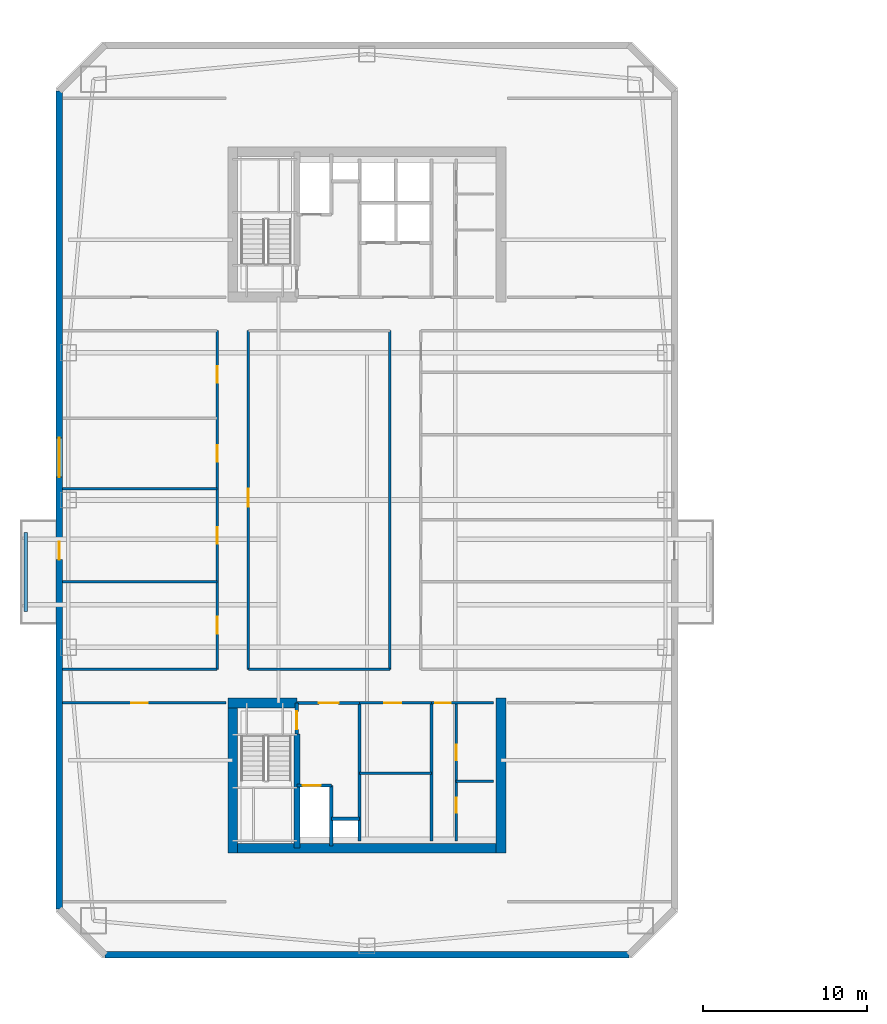
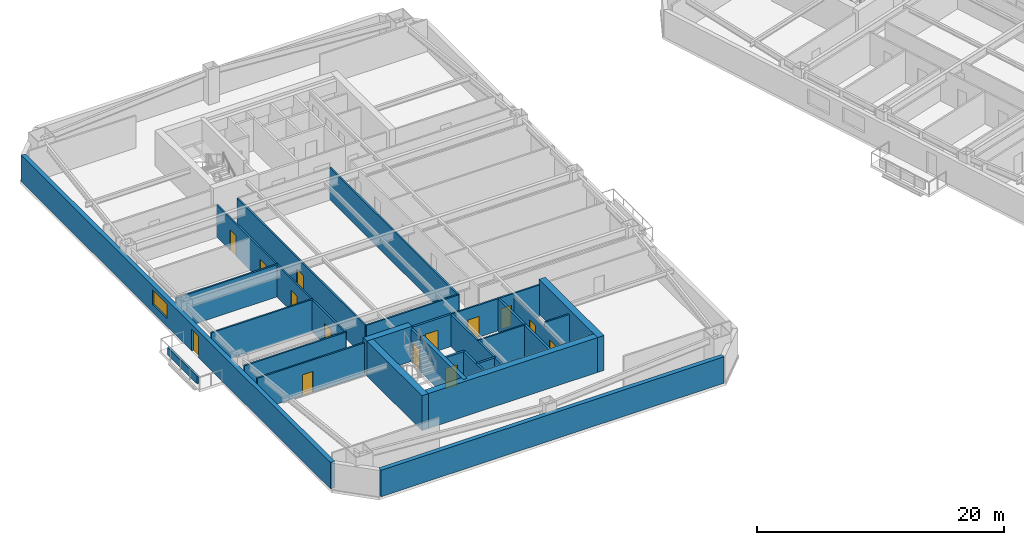
# One storey, part 4 of 14: 28 walls, 14 doors, 1 window, 15 openings.
"""IFC4 building model written with IfcOpenShell, lengths in metres."""

from ifc_helpers import new_model, si_unit, direction, frame, frame_2d, origin, place, context, subcontext, project, spatial, rectangle, extrude, material, layer, layer_set, type_object, element, fill, save


model = new_model("IFC4")

# Units and contexts
model_context = context("Model", 3, precision=1e-05, world=origin(), true_north=direction((0.0, 1.0)))
body_context = subcontext(model_context, "Body", "Model", "MODEL_VIEW")
ifc_project = project(units=[si_unit("LENGTHUNIT", "METRE"), si_unit("AREAUNIT", "SQUARE_METRE"), si_unit("VOLUMEUNIT", "CUBIC_METRE"), si_unit("PLANEANGLEUNIT", "RADIAN"), si_unit("MASSUNIT", "GRAM", prefix="KILO")], contexts=[model_context])

# Site, building, storey
site_placement = place(None, origin())
site = spatial("IfcSite", under=ifc_project, at=site_placement, CompositionType="ELEMENT")
building_placement = place(site_placement, origin())
building = spatial("IfcBuilding", under=site, at=building_placement, Name="Qiaolan Cultural Towers", CompositionType="ELEMENT")
storey_placement = place(building_placement, frame((0.0, 0.0, 103.5)))
storey = spatial("IfcBuildingStorey", under=building, at=storey_placement, Name="L26", CompositionType="ELEMENT", Elevation=103.5)

# Walls
ifc_material_1 = material(Name="Concrete C50", Category="concrete")
ifc_layer_1 = layer(ifc_material_1, 0.35009765625)
ifc_layer_set_1 = layer_set([ifc_layer_1], Name="Concrete C50")
wall_type_1 = type_object("IfcWallType", Name="WL-CORE-350", PredefinedType="SHEAR", material=ifc_layer_set_1)
wall_1_placement = place(storey_placement, frame((25.719970703125, 19.699951171875, 0.0), z_axis=(0.0, 0.0, 1.0), x_axis=(0.0, -1.0, 0.0)))
element("IfcWall", 1, at=wall_1_placement, inside=storey, type_object=wall_type_1, Name="L26 T1-CS Stair Core Dividing Web", PredefinedType="SHEAR", context=body_context, shape_type="SweptSolid", body=[
    extrude(rectangle(XDim=6.97998046875, YDim=0.35009765625, at=frame_2d((3.489990234375, 0.0))), origin(), (0.0, 0.0, 1.0), 3.449951171875),
])
ifc_material_2 = material(Name="Concrete C55", Category="concrete")
ifc_layer_2 = layer(ifc_material_2, 0.60009765625)
ifc_layer_set_2 = layer_set([ifc_layer_2], Name="Concrete C55")
wall_type_2 = type_object("IfcWallType", Name="WL-CORE-600", PredefinedType="SHEAR", material=ifc_layer_set_2)
wall_2_placement = place(storey_placement, frame((21.5, 12.719970703125, 0.0), z_axis=(0.0, 0.0, 1.0), x_axis=(1.0, 0.0, 0.0)))
element("IfcWall", 2, at=wall_2_placement, inside=storey, type_object=wall_type_2, Name="L26 T1-CS Outer Core Shear Wall", PredefinedType="SHEAR", context=body_context, shape_type="SweptSolid", body=[
    extrude(rectangle(XDim=17.0, YDim=0.60009765625, at=frame_2d((8.5, 0.0))), origin(), (0.0, 0.0, 1.0), 3.449951171875),
])
for number, where, z_axis, x_axis, name in (
    (3, (21.800048828125, 21.89990234375, 0.0), (0.0, 0.0, 1.0), (0.0, -1.0, 0.0), "L26 T1-CS West Core Shear Wall"),
    (4, (38.199951171875, 21.89990234375, 0.0), (0.0, 0.0, 1.0), (0.0, -1.0, 0.0), "L26 T1-CS East Core Shear Wall"),
):
    element("IfcWall", number, at=place(storey_placement, frame(where, z_axis=z_axis, x_axis=x_axis)), inside=storey, type_object=wall_type_2, Name=name, PredefinedType="SHEAR", context=body_context, shape_type="SweptSolid", body=[
        extrude(rectangle(XDim=9.47998046875, YDim=0.60009765625, at=frame_2d((4.739990234375, 0.0))), origin(), (0.0, 0.0, 1.0), 3.449951171875),
    ])
wall_3_placement = place(storey_placement, frame((21.5, 21.60009765625, 0.0), z_axis=(0.0, 0.0, 1.0), x_axis=(1.0, 0.0, 0.0)))
element("IfcWall", 5, at=wall_3_placement, inside=storey, type_object=wall_type_2, Name="L26 T1-CS Stair Front Shear Wall", PredefinedType="SHEAR", context=body_context, shape_type="SweptSolid", body=[
    extrude(rectangle(XDim=4.219970703125, YDim=0.60009765625, at=frame_2d((2.10986328125, 0.0))), origin(), (0.0, 0.0, 1.0), 3.449951171875),
])

# Wall, openings, door, window
ifc_material_3 = material(Name="Precast Concrete C50 Honed Stone Pier", Category="masonry")
ifc_layer_3 = layer(ifc_material_3, 0.39990234375)
ifc_layer_set_3 = layer_set([ifc_layer_3], Name="Precast Concrete C50 Honed Stone Pier")
wall_type_3 = type_object("IfcWallType", Name="WL-EXT-PIER-400", PredefinedType="SOLIDWALL", material=ifc_layer_set_3)
wall_4_placement = place(storey_placement, frame((11.199951171875, 9.0, 0.0), z_axis=(0.0, 0.0, 1.0), x_axis=(0.0, 1.0, 0.0)))
wall_4 = element("IfcWall", 6, at=wall_4_placement, inside=storey, type_object=wall_type_3, Name="L26 West Tower Precast Pier Facade Wall F1", PredefinedType="SOLIDWALL", context=body_context, shape_type="SweptSolid", body=[
    extrude(rectangle(XDim=50.0, YDim=0.39990234375, at=frame_2d((25.0, 0.0))), origin(), (0.0, 0.0, 1.0), 2.610107421875),
])
opening_1_placement = place(wall_4_placement, frame((26.39990234375, 0.0, 0.75)))
opening_1 = element("IfcOpeningElement", 7, at=opening_1_placement, cuts=wall_4, Name="Opening W-02", PredefinedType="OPENING", context=body_context, shape_type="SweptSolid", body=[
    extrude(rectangle(XDim=2.39990234375, YDim=1.4599609375, at=frame_2d((1.199951171875, 0.72998046875))), frame((0.0, 0.2099609375, 0.0), z_axis=(0.0, -1.0, 0.0), x_axis=(1.0, 0.0, 0.0)), (0.0, 0.0, 1.0), 0.419921875),
])
opening_2_placement = place(wall_4_placement, frame((21.35009765625, 0.0, 0.0)))
opening_2 = element("IfcOpeningElement", 8, at=opening_2_placement, cuts=wall_4, Name="Opening BD-01", PredefinedType="OPENING", context=body_context, shape_type="SweptSolid", body=[
    extrude(rectangle(XDim=1.10009765625, YDim=2.14990234375, at=frame_2d((0.550048828125, 1.074951171875))), frame((0.0, 0.2099609375, 0.0), z_axis=(0.0, -1.0, 0.0), x_axis=(1.0, 0.0, 0.0)), (0.0, 0.0, 1.0), 0.419921875),
])
ifc_material_4 = material(Name="Thermally Broken Aluminium Glazed Terrace Door", Category="aluminium")
door_type_1 = type_object("IfcDoorType", Name="DR-BAL-1100", OperationType="NOTDEFINED", PredefinedType="DOOR", material=ifc_material_4)
door_1_placement = place(opening_2_placement, origin())
door_1 = element("IfcDoor", 9, at=door_1_placement, inside=storey, type_object=door_type_1, Name="L26 T1 West Tree Balcony Door", OperationType="SINGLE_SWING_LEFT", OverallHeight=2.14990234375, OverallWidth=1.10009765625, PredefinedType="DOOR", context=body_context, shape_type="SweptSolid", body=[
    extrude(rectangle(XDim=1.10009765625, YDim=2.14990234375, at=frame_2d((0.550048828125, 1.074951171875))), frame((0.0, 0.02490234375, 0.0), z_axis=(0.0, -1.0, 0.0), x_axis=(1.0, 0.0, 0.0)), (0.0, 0.0, 1.0), 0.050048828125),
])
fill(opening_2, door_1)
ifc_material_5 = material(Name="Thermally Broken Aluminium Triple Low-E Glazing", Category="aluminium")
window_type = type_object("IfcWindowType", Name="WN-CHIC-2400", PartitioningType="SINGLE_PANEL", PredefinedType="WINDOW", material=ifc_material_5)
window_placement = place(opening_1_placement, origin())
window = element("IfcWindow", 10, at=window_placement, inside=storey, type_object=window_type, Name="L26 T1 W Chicago Bay Window 1", OverallHeight=1.4599609375, OverallWidth=2.39990234375, PartitioningType="TRIPLE_PANEL_VERTICAL", PredefinedType="WINDOW", context=body_context, shape_type="SweptSolid", body=[
    extrude(rectangle(XDim=2.39990234375, YDim=1.4599609375, at=frame_2d((1.199951171875, 0.72998046875))), frame((0.0, 0.030029296875, 0.0), z_axis=(0.0, -1.0, 0.0), x_axis=(1.0, 0.0, 0.0)), (0.0, 0.0, 1.0), 0.06005859375),
])
fill(opening_1, window)

# Wall
wall_5_placement = place(storey_placement, frame((46.0, 6.199951171875, 0.0), z_axis=(0.0, 0.0, 1.0), x_axis=(-1.0, 0.0, 0.0)))
element("IfcWall", 11, at=wall_5_placement, inside=storey, type_object=wall_type_3, Name="L26 West Tower Precast Pier Facade Wall F7", PredefinedType="SOLIDWALL", context=body_context, shape_type="SweptSolid", body=[
    extrude(rectangle(XDim=32.0, YDim=0.39990234375, at=frame_2d((16.0, 0.0))), origin(), (0.0, 0.0, 1.0), 2.610107421875),
])

# Wall, opening, door
ifc_material_6 = material(Name="Concrete C35 Fire Wall", Category="concrete")
ifc_layer_4 = layer(ifc_material_6, 0.199951171875)
ifc_layer_set_4 = layer_set([ifc_layer_4], Name="Concrete C35 Fire Wall")
wall_type_4 = type_object("IfcWallType", Name="WL-FIRE-200", PredefinedType="PARTITIONING", material=ifc_layer_set_4)
wall_6_placement = place(storey_placement, frame((25.719970703125, 21.60009765625, 0.0), z_axis=(0.0, 0.0, 1.0), x_axis=(0.0, -1.0, 0.0)))
wall_6 = element("IfcWall", 12, at=wall_6_placement, inside=storey, type_object=wall_type_4, Name="L26 T1-CS Smokeproof Stair Entry Wall", PredefinedType="PARTITIONING", context=body_context, shape_type="SweptSolid", body=[
    extrude(rectangle(XDim=1.900146484375, YDim=0.199951171875, at=frame_2d((0.9501953125, 0.0))), origin(), (0.0, 0.0, 1.0), 3.175048828125),
])
opening_3_placement = place(wall_6_placement, frame((0.52001953125, 0.0, 0.0)))
opening_3 = element("IfcOpeningElement", 13, at=opening_3_placement, cuts=wall_6, Name="Opening FD-04", PredefinedType="OPENING", context=body_context, shape_type="SweptSolid", body=[
    extrude(rectangle(XDim=1.10009765625, YDim=2.050048828125, at=frame_2d((0.550048828125, 1.02490234375))), frame((0.0, 0.10986328125, 0.0), z_axis=(0.0, -1.0, 0.0), x_axis=(1.0, 0.0, 0.0)), (0.0, 0.0, 1.0), 0.219970703125),
])
ifc_material_7 = material(Name="Galvanized Steel Command Fire Door", Category="steel")
door_type_2 = type_object("IfcDoorType", Name="DR-FD90-1100", OperationType="NOTDEFINED", PredefinedType="DOOR", material=ifc_material_7)
door_2_placement = place(opening_3_placement, origin())
door_2 = element("IfcDoor", 14, at=door_2_placement, inside=storey, type_object=door_type_2, Name="L26 ST-W1 Smokeproof Stair Fire Door", OperationType="SINGLE_SWING_LEFT", OverallHeight=2.050048828125, OverallWidth=1.10009765625, PredefinedType="DOOR", context=body_context, shape_type="SweptSolid", body=[
    extrude(rectangle(XDim=1.10009765625, YDim=2.050048828125, at=frame_2d((0.550048828125, 1.02490234375))), frame((0.0, 0.02490234375, 0.0), z_axis=(0.0, -1.0, 0.0), x_axis=(1.0, 0.0, 0.0)), (0.0, 0.0, 1.0), 0.050048828125),
])
fill(opening_3, door_2)

# Wall
wall_7_placement = place(storey_placement, frame((29.550048828125, 21.60009765625, 0.0), z_axis=(0.0, 0.0, 1.0), x_axis=(0.0, -1.0, 0.0)))
element("IfcWall", 15, at=wall_7_placement, inside=storey, type_object=wall_type_4, Name="L26 T1-CS Firefighting Zone Wall", PredefinedType="PARTITIONING", context=body_context, shape_type="SweptSolid", body=[
    extrude(rectangle(XDim=8.43017578125, YDim=0.199951171875, at=frame_2d((4.215087890625, 0.0))), origin(), (0.0, 0.0, 1.0), 3.175048828125),
])

# Wall, opening, door
wall_8_placement = place(storey_placement, frame((25.719970703125, 21.60009765625, 0.0), z_axis=(0.0, 0.0, 1.0), x_axis=(1.0, 0.0, 0.0)))
wall_8 = element("IfcWall", 16, at=wall_8_placement, inside=storey, type_object=wall_type_4, Name="L26 T1-CS Firefighting Lobby Front Wall", PredefinedType="PARTITIONING", context=body_context, shape_type="SweptSolid", body=[
    extrude(rectangle(XDim=3.830078125, YDim=0.199951171875, at=frame_2d((1.9150390625, 0.0))), origin(), (0.0, 0.0, 1.0), 3.175048828125),
])
opening_4_placement = place(wall_8_placement, frame((1.35009765625, 0.0, 0.0)))
opening_4 = element("IfcOpeningElement", 17, at=opening_4_placement, cuts=wall_8, Name="Opening FD-03", PredefinedType="OPENING", context=body_context, shape_type="SweptSolid", body=[
    extrude(rectangle(XDim=1.199951171875, YDim=2.050048828125, at=frame_2d((0.60009765625, 1.02490234375))), frame((0.0, 0.10986328125, 0.0), z_axis=(0.0, -1.0, 0.0), x_axis=(1.0, 0.0, 0.0)), (0.0, 0.0, 1.0), 0.219970703125),
])
ifc_material_8 = material(Name="Galvanized Steel Smokeproof Lobby Fire Door", Category="steel")
door_type_3 = type_object("IfcDoorType", Name="DR-FD90-1200", OperationType="NOTDEFINED", PredefinedType="DOOR", material=ifc_material_8)
door_3_placement = place(opening_4_placement, origin())
door_3 = element("IfcDoor", 18, at=door_3_placement, inside=storey, type_object=door_type_3, Name="L26 FFL-W1 Firefighting Lobby Fire Door", OperationType="SINGLE_SWING_LEFT", OverallHeight=2.050048828125, OverallWidth=1.199951171875, PredefinedType="DOOR", context=body_context, shape_type="SweptSolid", body=[
    extrude(rectangle(XDim=1.199951171875, YDim=2.050048828125, at=frame_2d((0.60009765625, 1.02490234375))), frame((0.0, 0.02490234375, 0.0), z_axis=(0.0, -1.0, 0.0), x_axis=(1.0, 0.0, 0.0)), (0.0, 0.0, 1.0), 0.050048828125),
])
fill(opening_4, door_3)

wall_9_placement = place(storey_placement, frame((25.719970703125, 16.550048828125, 0.0), z_axis=(0.0, 0.0, 1.0), x_axis=(1.0, 0.0, 0.0)))
wall_9 = element("IfcWall", 19, at=wall_9_placement, inside=storey, type_object=wall_type_4, Name="L26 T1-CS Firefighting Shaft Front Wall", PredefinedType="PARTITIONING", context=body_context, shape_type="SweptSolid", body=[
    extrude(rectangle(XDim=2.10009765625, YDim=0.199951171875, at=frame_2d((1.050048828125, 0.0))), origin(), (0.0, 0.0, 1.0), 3.175048828125),
])
opening_5_placement = place(wall_9_placement, frame((0.35009765625, 0.0, 0.0)))
opening_5 = element("IfcOpeningElement", 20, at=opening_5_placement, cuts=wall_9, Name="Opening LD-01", PredefinedType="OPENING", context=body_context, shape_type="SweptSolid", body=[
    extrude(rectangle(XDim=1.10009765625, YDim=2.050048828125, at=frame_2d((0.550048828125, 1.02490234375))), frame((0.0, 0.10986328125, 0.0), z_axis=(0.0, -1.0, 0.0), x_axis=(1.0, 0.0, 0.0)), (0.0, 0.0, 1.0), 0.219970703125),
])
ifc_material_9 = material(Name="Brushed Stainless Steel S30408 Centre-Parting Lift Landing Door", Category="steel")
door_type_4 = type_object("IfcDoorType", Name="DR-LIFT-1100", OperationType="NOTDEFINED", PredefinedType="DOOR", material=ifc_material_9)
door_4_placement = place(opening_5_placement, origin())
door_4 = element("IfcDoor", 21, at=door_4_placement, inside=storey, type_object=door_type_4, Name="L26 FFL-W1 Firefighting Lift Landing Door", OperationType="DOUBLE_DOOR_SLIDING", OverallHeight=2.050048828125, OverallWidth=1.10009765625, PredefinedType="DOOR", context=body_context, shape_type="SweptSolid", body=[
    extrude(rectangle(XDim=1.10009765625, YDim=2.050048828125, at=frame_2d((0.550048828125, 1.02490234375))), frame((0.0, 0.02490234375, 0.0), z_axis=(0.0, -1.0, 0.0), x_axis=(1.0, 0.0, 0.0)), (0.0, 0.0, 1.0), 0.050048828125),
])
fill(opening_5, door_4)

# Walls
wall_10_placement = place(storey_placement, frame((27.820068359375, 16.550048828125, 0.0), z_axis=(0.0, 0.0, 1.0), x_axis=(0.0, -1.0, 0.0)))
element("IfcWall", 22, at=wall_10_placement, inside=storey, type_object=wall_type_4, Name="L26 T1-CS Firefighting Hoistway East Wall", PredefinedType="PARTITIONING", context=body_context, shape_type="SweptSolid", body=[
    extrude(rectangle(XDim=3.699951171875, YDim=0.199951171875, at=frame_2d((1.85009765625, 0.0))), origin(), (0.0, 0.0, 1.0), 3.175048828125),
])
wall_11_placement = place(storey_placement, frame((27.820068359375, 14.52001953125, 0.0), z_axis=(0.0, 0.0, 1.0), x_axis=(1.0, 0.0, 0.0)))
element("IfcWall", 23, at=wall_11_placement, inside=storey, type_object=wall_type_4, Name="L26 T1-CS Pressurization Shaft Front Wall", PredefinedType="PARTITIONING", context=body_context, shape_type="SweptSolid", body=[
    extrude(rectangle(XDim=1.72998046875, YDim=0.199951171875, at=frame_2d((0.864990234375, 0.0))), origin(), (0.0, 0.0, 1.0), 3.175048828125),
])
wall_12_placement = place(storey_placement, frame((33.949951171875, 21.60009765625, 0.0), z_axis=(0.0, 0.0, 1.0), x_axis=(0.0, -1.0, 0.0)))
element("IfcWall", 24, at=wall_12_placement, inside=storey, type_object=wall_type_4, Name="L26 T1-CS Lift Core East Wall", PredefinedType="PARTITIONING", context=body_context, shape_type="SweptSolid", body=[
    extrude(rectangle(XDim=8.43017578125, YDim=0.199951171875, at=frame_2d((4.215087890625, 0.0))), origin(), (0.0, 0.0, 1.0), 3.175048828125),
])

# Wall, opening, door
ifc_material_10 = material(Name="Autoclaved Aerated Concrete Block B06", Category="concrete")
ifc_layer_5 = layer(ifc_material_10, 0.14990234375)
ifc_layer_set_5 = layer_set([ifc_layer_5], Name="Autoclaved Aerated Concrete Block B06")
wall_type_5 = type_object("IfcWallType", Name="WL-PART-150", PredefinedType="PARTITIONING", material=ifc_layer_set_5)
wall_13_placement = place(storey_placement, frame((29.550048828125, 21.60009765625, 0.0), z_axis=(0.0, 0.0, 1.0), x_axis=(1.0, 0.0, 0.0)))
wall_13 = element("IfcWall", 25, at=wall_13_placement, inside=storey, type_object=wall_type_5, Name="L26 T1-CS Reclaimed Core Room Front Wall", PredefinedType="PARTITIONING", context=body_context, shape_type="SweptSolid", body=[
    extrude(rectangle(XDim=4.39990234375, YDim=0.14990234375, at=frame_2d((2.199951171875, 0.0))), origin(), (0.0, 0.0, 1.0), 3.175048828125),
])
opening_6_placement = place(wall_13_placement, frame((1.5, 0.0, 0.0)))
opening_6 = element("IfcOpeningElement", 26, at=opening_6_placement, cuts=wall_13, Name="Opening ID-07", PredefinedType="OPENING", context=body_context, shape_type="SweptSolid", body=[
    extrude(rectangle(XDim=1.050048828125, YDim=2.050048828125, at=frame_2d((0.52490234375, 1.02490234375))), frame((0.0, 0.0849609375, 0.0), z_axis=(0.0, -1.0, 0.0), x_axis=(1.0, 0.0, 0.0)), (0.0, 0.0, 1.0), 0.169921875),
])
ifc_material_11 = material(Name="Oak Veneer Consultation Door", Category="timber")
door_type_5 = type_object("IfcDoorType", Name="DR-INT-1050", OperationType="NOTDEFINED", PredefinedType="DOOR", material=ifc_material_11)
door_5_placement = place(opening_6_placement, origin())
door_5 = element("IfcDoor", 27, at=door_5_placement, inside=storey, type_object=door_type_5, Name="L26 Focus Pod Room Door", OperationType="SINGLE_SWING_LEFT", OverallHeight=2.050048828125, OverallWidth=1.050048828125, PredefinedType="DOOR", context=body_context, shape_type="SweptSolid", body=[
    extrude(rectangle(XDim=1.050048828125, YDim=2.050048828125, at=frame_2d((0.52490234375, 1.02490234375))), frame((0.0, 0.02490234375, 0.0), z_axis=(0.0, -1.0, 0.0), x_axis=(1.0, 0.0, 0.0)), (0.0, 0.0, 1.0), 0.050048828125),
])
fill(opening_6, door_5)

# Wall
wall_14_placement = place(storey_placement, frame((29.550048828125, 17.300048828125, 0.0), z_axis=(0.0, 0.0, 1.0), x_axis=(1.0, 0.0, 0.0)))
element("IfcWall", 28, at=wall_14_placement, inside=storey, type_object=wall_type_5, Name="L26 T1-CS Reclaimed Room Subdivider", PredefinedType="PARTITIONING", context=body_context, shape_type="SweptSolid", body=[
    extrude(rectangle(XDim=4.39990234375, YDim=0.14990234375, at=frame_2d((2.199951171875, 0.0))), origin(), (0.0, 0.0, 1.0), 3.175048828125),
])

# Wall, opening, door
wall_15_placement = place(storey_placement, frame((33.949951171875, 21.60009765625, 0.0), z_axis=(0.0, 0.0, 1.0), x_axis=(1.0, 0.0, 0.0)))
wall_15 = element("IfcWall", 29, at=wall_15_placement, inside=storey, type_object=wall_type_5, Name="L26 T1-CS Sanitary Core Front Wall", PredefinedType="PARTITIONING", context=body_context, shape_type="SweptSolid", body=[
    extrude(rectangle(XDim=3.800048828125, YDim=0.14990234375, at=frame_2d((1.89990234375, 0.0))), origin(), (0.0, 0.0, 1.0), 3.175048828125),
])
opening_7_placement = place(wall_15_placement, frame((0.219970703125, 0.0, 0.0)))
opening_7 = element("IfcOpeningElement", 30, at=opening_7_placement, cuts=wall_15, Name="Opening ID-05", PredefinedType="OPENING", context=body_context, shape_type="SweptSolid", body=[
    extrude(rectangle(XDim=0.949951171875, YDim=2.050048828125, at=frame_2d((0.47509765625, 1.02490234375))), frame((0.0, 0.0849609375, 0.0), z_axis=(0.0, -1.0, 0.0), x_axis=(1.0, 0.0, 0.0)), (0.0, 0.0, 1.0), 0.169921875),
])
ifc_material_12 = material(Name="Fire-Rated Laminate Accessible Core Door", Category="timber")
door_type_6 = type_object("IfcDoorType", Name="DR-INT-950", OperationType="NOTDEFINED", PredefinedType="DOOR", material=ifc_material_12)
door_6_placement = place(opening_7_placement, origin())
door_6 = element("IfcDoor", 31, at=door_6_placement, inside=storey, type_object=door_type_6, Name="L26 Sanitary Lobby Door", OperationType="SINGLE_SWING_LEFT", OverallHeight=2.050048828125, OverallWidth=0.949951171875, PredefinedType="DOOR", context=body_context, shape_type="SweptSolid", body=[
    extrude(rectangle(XDim=0.949951171875, YDim=2.050048828125, at=frame_2d((0.47509765625, 1.02490234375))), frame((0.0, 0.02490234375, 0.0), z_axis=(0.0, -1.0, 0.0), x_axis=(1.0, 0.0, 0.0)), (0.0, 0.0, 1.0), 0.050048828125),
])
fill(opening_7, door_6)

# Wall, openings, doors
wall_16_placement = place(storey_placement, frame((35.449951171875, 21.60009765625, 0.0), z_axis=(0.0, 0.0, 1.0), x_axis=(0.0, -1.0, 0.0)))
wall_16 = element("IfcWall", 32, at=wall_16_placement, inside=storey, type_object=wall_type_5, Name="L26 T1-CS Washroom Split Wall", PredefinedType="PARTITIONING", context=body_context, shape_type="SweptSolid", body=[
    extrude(rectangle(XDim=8.43017578125, YDim=0.14990234375, at=frame_2d((4.215087890625, 0.0))), origin(), (0.0, 0.0, 1.0), 2.764892578125),
])
opening_8_placement = place(wall_16_placement, frame((2.550048828125, 0.0, 0.0)))
opening_8 = element("IfcOpeningElement", 33, at=opening_8_placement, cuts=wall_16, Name="Opening ID-05", PredefinedType="OPENING", context=body_context, shape_type="SweptSolid", body=[
    extrude(rectangle(XDim=0.949951171875, YDim=2.050048828125, at=frame_2d((0.47509765625, 1.02490234375))), frame((0.0, 0.0849609375, 0.0), z_axis=(0.0, -1.0, 0.0), x_axis=(1.0, 0.0, 0.0)), (0.0, 0.0, 1.0), 0.169921875),
])
opening_9_placement = place(wall_16_placement, frame((5.800048828125, 0.0, 0.0)))
opening_9 = element("IfcOpeningElement", 34, at=opening_9_placement, cuts=wall_16, Name="Opening ID-06", PredefinedType="OPENING", context=body_context, shape_type="SweptSolid", body=[
    extrude(rectangle(XDim=0.89990234375, YDim=2.050048828125, at=frame_2d((0.449951171875, 1.02490234375))), frame((0.0, 0.0849609375, 0.0), z_axis=(0.0, -1.0, 0.0), x_axis=(1.0, 0.0, 0.0)), (0.0, 0.0, 1.0), 0.169921875),
])
ifc_material_13 = material(Name="Fire-Rated Laminate Core Service Door", Category="timber")
door_type_7 = type_object("IfcDoorType", Name="DR-INT-900", OperationType="NOTDEFINED", PredefinedType="DOOR", material=ifc_material_13)
door_7_placement = place(opening_9_placement, origin())
door_7 = element("IfcDoor", 35, at=door_7_placement, inside=storey, type_object=door_type_7, Name="L26 First-Aid Room Door", OperationType="SINGLE_SWING_RIGHT", OverallHeight=2.050048828125, OverallWidth=0.89990234375, PredefinedType="DOOR", context=body_context, shape_type="SweptSolid", body=[
    extrude(rectangle(XDim=0.89990234375, YDim=2.050048828125, at=frame_2d((0.449951171875, 1.02490234375))), frame((0.0, 0.02490234375, 0.0), z_axis=(0.0, -1.0, 0.0), x_axis=(1.0, 0.0, 0.0)), (0.0, 0.0, 1.0), 0.050048828125),
])
fill(opening_9, door_7)
door_8_placement = place(opening_8_placement, origin())
door_8 = element("IfcDoor", 36, at=door_8_placement, inside=storey, type_object=door_type_6, Name="L26 Accessible Washroom Door", OperationType="SINGLE_SWING_LEFT", OverallHeight=2.050048828125, OverallWidth=0.949951171875, PredefinedType="DOOR", context=body_context, shape_type="SweptSolid", body=[
    extrude(rectangle(XDim=0.949951171875, YDim=2.050048828125, at=frame_2d((0.47509765625, 1.02490234375))), frame((0.0, 0.02490234375, 0.0), z_axis=(0.0, -1.0, 0.0), x_axis=(1.0, 0.0, 0.0)), (0.0, 0.0, 1.0), 0.050048828125),
])
fill(opening_8, door_8)

# Wall
wall_17_placement = place(storey_placement, frame((35.449951171875, 16.800048828125, 0.0), z_axis=(0.0, 0.0, 1.0), x_axis=(1.0, 0.0, 0.0)))
element("IfcWall", 37, at=wall_17_placement, inside=storey, type_object=wall_type_5, Name="L26 T1-CS First-Aid Wall", PredefinedType="PARTITIONING", context=body_context, shape_type="SweptSolid", body=[
    extrude(rectangle(XDim=2.300048828125, YDim=0.14990234375, at=frame_2d((1.14990234375, 0.0))), origin(), (0.0, 0.0, 1.0), 3.175048828125),
])

# Wall, opening, door
wall_18_placement = place(storey_placement, frame((11.39990234375, 21.60009765625, 0.0), z_axis=(0.0, 0.0, 1.0), x_axis=(1.0, 0.0, 0.0)))
wall_18 = element("IfcWall", 38, at=wall_18_placement, inside=storey, type_object=wall_type_5, Name="L26 T1 Flank Front FLK-SW", PredefinedType="PARTITIONING", context=body_context, shape_type="SweptSolid", body=[
    extrude(rectangle(XDim=10.0, YDim=0.14990234375, at=frame_2d((5.0, 0.0))), origin(), (0.0, 0.0, 1.0), 3.175048828125),
])
opening_10_placement = place(wall_18_placement, frame((4.199951171875, 0.0, 0.0)))
opening_10 = element("IfcOpeningElement", 39, at=opening_10_placement, cuts=wall_18, Name="Opening ID-04", PredefinedType="OPENING", context=body_context, shape_type="SweptSolid", body=[
    extrude(rectangle(XDim=1.0, YDim=2.050048828125, at=frame_2d((0.5, 1.02490234375))), frame((0.0, 0.0849609375, 0.0), z_axis=(0.0, -1.0, 0.0), x_axis=(1.0, 0.0, 0.0)), (0.0, 0.0, 1.0), 0.169921875),
])
ifc_material_14 = material(Name="Oak Veneer Acoustic Office Door", Category="timber")
door_type_8 = type_object("IfcDoorType", Name="DR-INT-1000", OperationType="NOTDEFINED", PredefinedType="DOOR", material=ifc_material_14)
door_9_placement = place(opening_10_placement, origin())
door_9 = element("IfcDoor", 40, at=door_9_placement, inside=storey, type_object=door_type_8, Name="L26 T1 Corner Studio Door", OperationType="SINGLE_SWING_LEFT", OverallHeight=2.050048828125, OverallWidth=1.0, PredefinedType="DOOR", context=body_context, shape_type="SweptSolid", body=[
    extrude(rectangle(XDim=1.0, YDim=2.050048828125, at=frame_2d((0.5, 1.02490234375))), frame((0.0, 0.02490234375, 0.0), z_axis=(0.0, -1.0, 0.0), x_axis=(1.0, 0.0, 0.0)), (0.0, 0.0, 1.0), 0.050048828125),
])
fill(opening_10, door_9)

# Walls
wall_19_placement = place(storey_placement, frame((11.39990234375, 23.64990234375, 0.0), z_axis=(0.0, 0.0, 1.0), x_axis=(1.0, 0.0, 0.0)))
element("IfcWall", 41, at=wall_19_placement, inside=storey, type_object=wall_type_5, Name="L26 T1 Interior Wall", PredefinedType="PARTITIONING", context=body_context, shape_type="SweptSolid", body=[
    extrude(rectangle(XDim=9.4501953125, YDim=0.14990234375, at=frame_2d((4.72509765625, 0.0))), origin(), (0.0, 0.0, 1.0), 3.175048828125),
])
wall_20_placement = place(storey_placement, frame((22.75, 23.64990234375, 0.0), z_axis=(0.0, 0.0, 1.0), x_axis=(1.0, 0.0, 0.0)))
element("IfcWall", 42, at=wall_20_placement, inside=storey, type_object=wall_type_5, Name="L26 T1 Interior Wall", PredefinedType="PARTITIONING", context=body_context, shape_type="SweptSolid", body=[
    extrude(rectangle(XDim=8.64990234375, YDim=0.14990234375, at=frame_2d((4.324951171875, 0.0))), origin(), (0.0, 0.0, 1.0), 3.175048828125),
])

# Wall, openings, doors
wall_21_placement = place(storey_placement, frame((20.85009765625, 23.64990234375, 0.0), z_axis=(0.0, 0.0, 1.0), x_axis=(0.0, 1.0, 0.0)))
wall_21 = element("IfcWall", 43, at=wall_21_placement, inside=storey, type_object=wall_type_5, Name="L26 T1 Interior Wall", PredefinedType="PARTITIONING", context=body_context, shape_type="SweptSolid", body=[
    extrude(rectangle(XDim=20.7001953125, YDim=0.14990234375, at=frame_2d((10.35009765625, 0.0))), origin(), (0.0, 0.0, 1.0), 3.175048828125),
])
opening_11_placement = place(wall_21_placement, frame((2.175048828125, 0.0, 0.0)))
opening_11 = element("IfcOpeningElement", 44, at=opening_11_placement, cuts=wall_21, Name="Opening ID-07", PredefinedType="OPENING", context=body_context, shape_type="SweptSolid", body=[
    extrude(rectangle(XDim=1.050048828125, YDim=2.050048828125, at=frame_2d((0.52490234375, 1.02490234375))), frame((0.0, 0.0849609375, 0.0), z_axis=(0.0, -1.0, 0.0), x_axis=(1.0, 0.0, 0.0)), (0.0, 0.0, 1.0), 0.169921875),
])
opening_12_placement = place(wall_21_placement, frame((7.68994140625, 0.0, 0.0)))
opening_12 = element("IfcOpeningElement", 45, at=opening_12_placement, cuts=wall_21, Name="Opening ID-04", PredefinedType="OPENING", context=body_context, shape_type="SweptSolid", body=[
    extrude(rectangle(XDim=1.0, YDim=2.050048828125, at=frame_2d((0.5, 1.02490234375))), frame((0.0, 0.0849609375, 0.0), z_axis=(0.0, -1.0, 0.0), x_axis=(1.0, 0.0, 0.0)), (0.0, 0.0, 1.0), 0.169921875),
])
opening_13_placement = place(wall_21_placement, frame((12.68994140625, 0.0, 0.0)))
opening_13 = element("IfcOpeningElement", 46, at=opening_13_placement, cuts=wall_21, Name="Opening ID-04", PredefinedType="OPENING", context=body_context, shape_type="SweptSolid", body=[
    extrude(rectangle(XDim=1.0, YDim=2.050048828125, at=frame_2d((0.5, 1.02490234375))), frame((0.0, 0.0849609375, 0.0), z_axis=(0.0, -1.0, 0.0), x_axis=(1.0, 0.0, 0.0)), (0.0, 0.0, 1.0), 0.169921875),
])
opening_14_placement = place(wall_21_placement, frame((17.52490234375, 0.0, 0.0)))
opening_14 = element("IfcOpeningElement", 47, at=opening_14_placement, cuts=wall_21, Name="Opening ID-04", PredefinedType="OPENING", context=body_context, shape_type="SweptSolid", body=[
    extrude(rectangle(XDim=1.0, YDim=2.050048828125, at=frame_2d((0.5, 1.02490234375))), frame((0.0, 0.0849609375, 0.0), z_axis=(0.0, -1.0, 0.0), x_axis=(1.0, 0.0, 0.0)), (0.0, 0.0, 1.0), 0.169921875),
])
door_10_placement = place(opening_12_placement, origin())
door_10 = element("IfcDoor", 48, at=door_10_placement, inside=storey, type_object=door_type_8, Name="L26 T1 Rare Books Reading Room Door", OperationType="SINGLE_SWING_RIGHT", OverallHeight=2.050048828125, OverallWidth=1.0, PredefinedType="DOOR", context=body_context, shape_type="SweptSolid", body=[
    extrude(rectangle(XDim=1.0, YDim=2.050048828125, at=frame_2d((0.5, 1.02490234375))), frame((0.0, 0.02490234375, 0.0), z_axis=(0.0, -1.0, 0.0), x_axis=(1.0, 0.0, 0.0)), (0.0, 0.0, 1.0), 0.050048828125),
])
fill(opening_12, door_10)
door_11_placement = place(opening_13_placement, origin())
door_11 = element("IfcDoor", 49, at=door_11_placement, inside=storey, type_object=door_type_8, Name="L26 T1 Rare Books Reading Room Door", OperationType="SINGLE_SWING_LEFT", OverallHeight=2.050048828125, OverallWidth=1.0, PredefinedType="DOOR", context=body_context, shape_type="SweptSolid", body=[
    extrude(rectangle(XDim=1.0, YDim=2.050048828125, at=frame_2d((0.5, 1.02490234375))), frame((0.0, 0.02490234375, 0.0), z_axis=(0.0, -1.0, 0.0), x_axis=(1.0, 0.0, 0.0)), (0.0, 0.0, 1.0), 0.050048828125),
])
fill(opening_13, door_11)
door_12_placement = place(opening_14_placement, origin())
door_12 = element("IfcDoor", 50, at=door_12_placement, inside=storey, type_object=door_type_8, Name="L26 T1 Manuscript Salon Door", OperationType="SINGLE_SWING_RIGHT", OverallHeight=2.050048828125, OverallWidth=1.0, PredefinedType="DOOR", context=body_context, shape_type="SweptSolid", body=[
    extrude(rectangle(XDim=1.0, YDim=2.050048828125, at=frame_2d((0.5, 1.02490234375))), frame((0.0, 0.02490234375, 0.0), z_axis=(0.0, -1.0, 0.0), x_axis=(1.0, 0.0, 0.0)), (0.0, 0.0, 1.0), 0.050048828125),
])
fill(opening_14, door_12)
door_13_placement = place(opening_11_placement, origin())
door_13 = element("IfcDoor", 51, at=door_13_placement, inside=storey, type_object=door_type_5, Name="L26 T1 Rare Books Reading Room Door", OperationType="SINGLE_SWING_LEFT", OverallHeight=2.050048828125, OverallWidth=1.050048828125, PredefinedType="DOOR", context=body_context, shape_type="SweptSolid", body=[
    extrude(rectangle(XDim=1.050048828125, YDim=2.050048828125, at=frame_2d((0.52490234375, 1.02490234375))), frame((0.0, 0.02490234375, 0.0), z_axis=(0.0, -1.0, 0.0), x_axis=(1.0, 0.0, 0.0)), (0.0, 0.0, 1.0), 0.050048828125),
])
fill(opening_11, door_13)

# Wall, opening, door
wall_22_placement = place(storey_placement, frame((22.75, 23.64990234375, 0.0), z_axis=(0.0, 0.0, 1.0), x_axis=(0.0, 1.0, 0.0)))
wall_22 = element("IfcWall", 52, at=wall_22_placement, inside=storey, type_object=wall_type_5, Name="L26 T1 Interior Wall", PredefinedType="PARTITIONING", context=body_context, shape_type="SweptSolid", body=[
    extrude(rectangle(XDim=20.7001953125, YDim=0.14990234375, at=frame_2d((10.35009765625, 0.0))), origin(), (0.0, 0.0, 1.0), 3.175048828125),
])
opening_15_placement = place(wall_22_placement, frame((9.93603515625, 0.0, 0.0)))
opening_15 = element("IfcOpeningElement", 53, at=opening_15_placement, cuts=wall_22, Name="Opening ID-03", PredefinedType="OPENING", context=body_context, shape_type="SweptSolid", body=[
    extrude(rectangle(XDim=1.10009765625, YDim=2.050048828125, at=frame_2d((0.550048828125, 1.02490234375))), frame((0.0, 0.0849609375, 0.0), z_axis=(0.0, -1.0, 0.0), x_axis=(1.0, 0.0, 0.0)), (0.0, 0.0, 1.0), 0.169921875),
])
ifc_material_15 = material(Name="Oak Veneer Solid-Core Boardroom Door", Category="timber")
door_type_9 = type_object("IfcDoorType", Name="DR-INT-1100", OperationType="NOTDEFINED", PredefinedType="DOOR", material=ifc_material_15)
door_14_placement = place(opening_15_placement, origin())
door_14 = element("IfcDoor", 54, at=door_14_placement, inside=storey, type_object=door_type_9, Name="L26 T1 Central Colloquium Hall Door", OperationType="SINGLE_SWING_LEFT", OverallHeight=2.050048828125, OverallWidth=1.10009765625, PredefinedType="DOOR", context=body_context, shape_type="SweptSolid", body=[
    extrude(rectangle(XDim=1.10009765625, YDim=2.050048828125, at=frame_2d((0.550048828125, 1.02490234375))), frame((0.0, 0.02490234375, 0.0), z_axis=(0.0, -1.0, 0.0), x_axis=(1.0, 0.0, 0.0)), (0.0, 0.0, 1.0), 0.050048828125),
])
fill(opening_15, door_14)

# Walls
wall_23_placement = place(storey_placement, frame((31.39990234375, 23.64990234375, 0.0), z_axis=(0.0, 0.0, 1.0), x_axis=(0.0, 1.0, 0.0)))
element("IfcWall", 55, at=wall_23_placement, inside=storey, type_object=wall_type_5, Name="L26 T1 Interior Wall", PredefinedType="PARTITIONING", context=body_context, shape_type="SweptSolid", body=[
    extrude(rectangle(XDim=20.7001953125, YDim=0.14990234375, at=frame_2d((10.35009765625, 0.0))), origin(), (0.0, 0.0, 1.0), 3.175048828125),
])
for number, where, z_axis, x_axis, name in (
    (56, (11.39990234375, 29.0, 0.0), (0.0, 0.0, 1.0), (1.0, 0.0, 0.0), "L26 T1 Interior Wall"),
    (57, (11.39990234375, 34.679931640625, 0.0), (0.0, 0.0, 1.0), (1.0, 0.0, 0.0), "L26 T1 Interior Wall"),
):
    element("IfcWall", number, at=place(storey_placement, frame(where, z_axis=z_axis, x_axis=x_axis)), inside=storey, type_object=wall_type_5, Name=name, PredefinedType="PARTITIONING", context=body_context, shape_type="SweptSolid", body=[
        extrude(rectangle(XDim=9.4501953125, YDim=0.14990234375, at=frame_2d((4.72509765625, 0.0))), origin(), (0.0, 0.0, 1.0), 3.175048828125),
    ])
ifc_material_16 = material(Name="Precast Concrete C45 Tree Planter Upstand", Category="concrete")
ifc_layer_6 = layer(ifc_material_16, 0.199951171875)
ifc_layer_set_6 = layer_set([ifc_layer_6], Name="Precast Concrete C45 Tree Planter Upstand")
wall_type_6 = type_object("IfcWallType", Name="WL-PLANTER-200", PredefinedType="PARAPET", material=ifc_layer_set_6)
wall_24_placement = place(storey_placement, frame((9.14990234375, 27.199951171875, 0.0), z_axis=(0.0, 0.0, 1.0), x_axis=(0.0, 1.0, 0.0)))
element("IfcWall", 58, at=wall_24_placement, inside=storey, type_object=wall_type_6, Name="L26 T1 Tree Balcony Soil Planter Box W", PredefinedType="PARAPET", context=body_context, shape_type="SweptSolid", body=[
    extrude(rectangle(XDim=4.800048828125, YDim=0.199951171875, at=frame_2d((2.39990234375, 0.0))), origin(), (0.0, 0.0, 1.0), 0.75),
])

save(model, "model.ifc")
